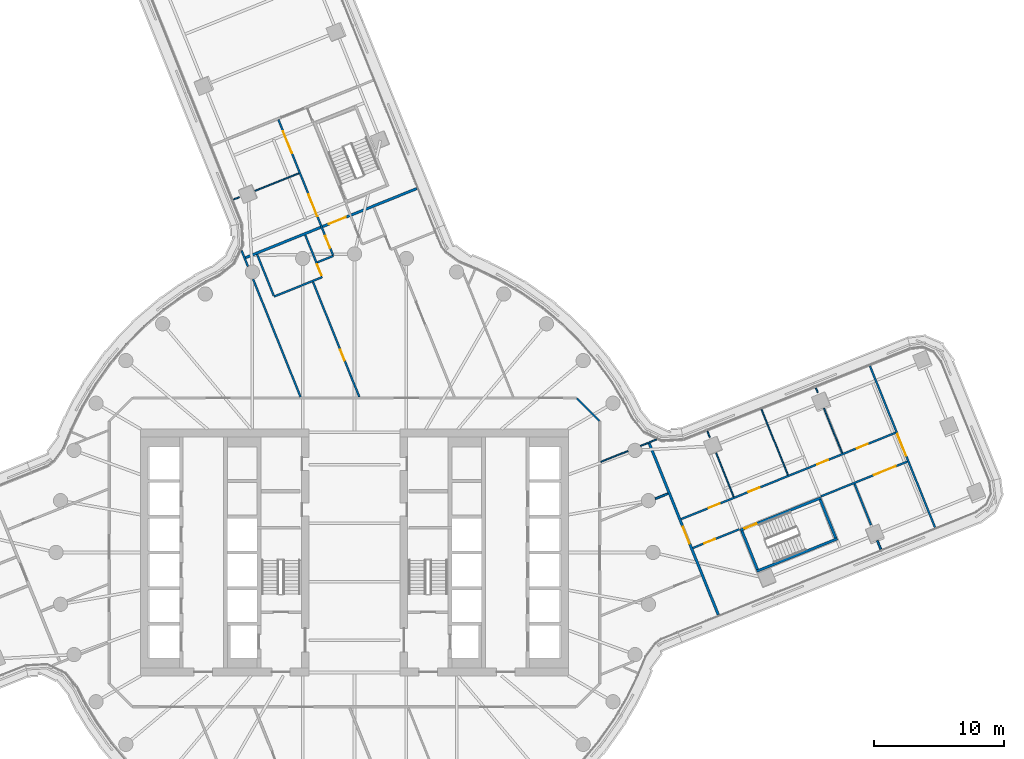
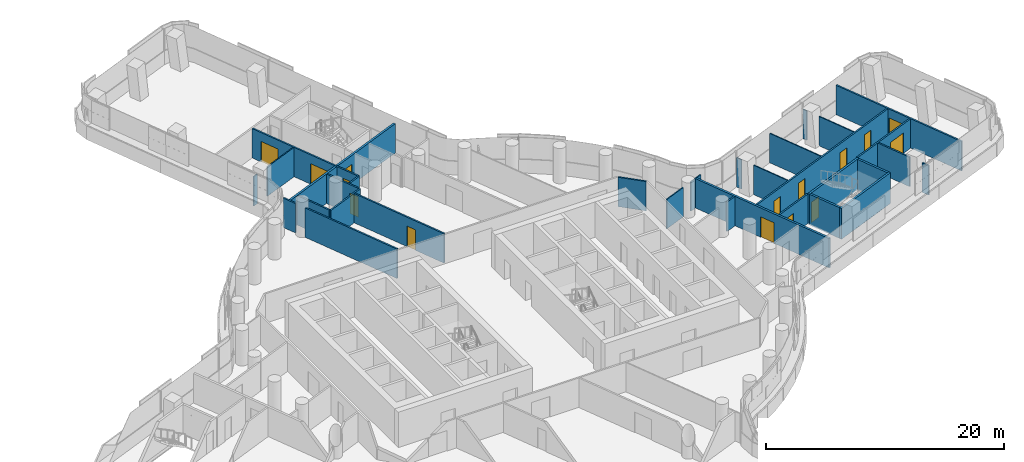
# One storey, part 23 of 32: 31 walls, 15 doors, 15 openings.
"""IFC4 building model written with IfcOpenShell, lengths in metres."""

from ifc_helpers import new_model, si_unit, direction, frame, frame_2d, origin, place, context, subcontext, project, spatial, polyline, rectangle, outline, extrude, material, layer, layer_set, type_object, element, fill, save


model = new_model("IFC4")

# Units and contexts
model_context = context("Model", 3, precision=1e-05, world=origin(), true_north=direction((0.0, 1.0)))
body_context = subcontext(model_context, "Body", "Model", "MODEL_VIEW")
ifc_project = project(units=[si_unit("LENGTHUNIT", "METRE"), si_unit("AREAUNIT", "SQUARE_METRE"), si_unit("VOLUMEUNIT", "CUBIC_METRE"), si_unit("PLANEANGLEUNIT", "RADIAN"), si_unit("MASSUNIT", "GRAM", prefix="KILO")], contexts=[model_context])

# Site, building, storey
site_placement = place(None, origin())
site = spatial("IfcSite", under=ifc_project, at=site_placement, CompositionType="ELEMENT")
building_placement = place(site_placement, origin())
building = spatial("IfcBuilding", under=site, at=building_placement, Name="Tamarind Cross Interchange Tower", CompositionType="ELEMENT")
storey_placement = place(building_placement, frame((0.0, 0.0, 113.5)))
storey = spatial("IfcBuildingStorey", under=building, at=storey_placement, Name="L27", CompositionType="ELEMENT", Elevation=113.5)

# Walls
ifc_material_1 = material(Name="Gypsum board partition on steel studs", Category="steel")
ifc_layer_1 = layer(ifc_material_1, 0.10009765625)
ifc_layer_set_1 = layer_set([ifc_layer_1], Name="Gypsum board partition on steel studs")
wall_type_1 = type_object("IfcWallType", Name="Partition 100 mm EI 90", PredefinedType="PARTITIONING", material=ifc_layer_set_1)
wall_1_placement = place(storey_placement, frame((27.185302734375, 9.3408203125, 0.0), z_axis=(0.0, 0.0, 1.0), x_axis=(0.373968335497, -0.927441472032, 0.0)))
element("IfcWall", 1, at=wall_1_placement, inside=storey, type_object=wall_type_1, Name="Partition L27-029", PredefinedType="PARTITIONING", context=body_context, shape_type="SweptSolid", body=[
    extrude(rectangle(XDim=0.505859375, YDim=0.10009765625, at=frame_2d((0.2529296875, 0.0))), origin(), (0.0, 0.0, 1.0), 3.010009765625),
])
wall_2_placement = place(storey_placement, frame((27.861328125, 7.662109375, 0.0), z_axis=(0.0, 0.0, 1.0), x_axis=(0.373588384553, -0.92759458759, 0.0)))
element("IfcWall", 2, at=wall_2_placement, inside=storey, type_object=wall_type_1, Name="Partition L27-030", PredefinedType="PARTITIONING", context=body_context, shape_type="SweptSolid", body=[
    extrude(rectangle(XDim=3.637451171875, YDim=0.10009765625, at=frame_2d((1.81884765625, 0.0))), origin(), (0.0, 0.0, 1.0), 3.010009765625),
])
wall_3_placement = place(storey_placement, frame((31.3623046875, 11.015380859375, 0.0), z_axis=(0.0, 0.0, 1.0), x_axis=(0.373711144768, -0.927545136517, 0.0)))
element("IfcWall", 3, at=wall_3_placement, inside=storey, type_object=wall_type_1, Name="Partition L27-031", PredefinedType="PARTITIONING", context=body_context, shape_type="SweptSolid", body=[
    extrude(rectangle(XDim=5.439208984375, YDim=0.10009765625, at=frame_2d((2.7197265625, 0.0))), origin(), (0.0, 0.0, 1.0), 3.010009765625),
])
wall_4_placement = place(storey_placement, frame((35.539306640625, 12.690185546875, 0.0), z_axis=(0.0, 0.0, 1.0), x_axis=(0.373446869977, -0.92765156999, 0.0)))
element("IfcWall", 4, at=wall_4_placement, inside=storey, type_object=wall_type_1, Name="Partition L27-032", PredefinedType="PARTITIONING", context=body_context, shape_type="SweptSolid", body=[
    extrude(rectangle(XDim=0.4091796875, YDim=0.10009765625, at=frame_2d((0.20458984375, 0.0))), origin(), (0.0, 0.0, 1.0), 3.010009765625),
])
wall_5_placement = place(storey_placement, frame((36.179443359375, 11.101318359375, 0.0), z_axis=(0.0, 0.0, 1.0), x_axis=(0.373607705791, -0.927586805735, 0.0)))
element("IfcWall", 5, at=wall_5_placement, inside=storey, type_object=wall_type_1, Name="Partition L27-033", PredefinedType="PARTITIONING", context=body_context, shape_type="SweptSolid", body=[
    extrude(rectangle(XDim=3.719482421875, YDim=0.10009765625, at=frame_2d((1.85986328125, 0.0))), origin(), (0.0, 0.0, 1.0), 3.010009765625),
])
wall_6_placement = place(storey_placement, frame((-9.3408203125, 27.185302734375, 0.0), z_axis=(0.0, 0.0, 1.0), x_axis=(0.927441472032, 0.373968335497, 0.0)))
element("IfcWall", 6, at=wall_6_placement, inside=storey, type_object=wall_type_1, Name="Partition L27-054", PredefinedType="PARTITIONING", context=body_context, shape_type="SweptSolid", body=[
    extrude(rectangle(XDim=0.505859375, YDim=0.10009765625, at=frame_2d((0.2529296875, 0.0))), origin(), (0.0, 0.0, 1.0), 3.010009765625),
])
wall_7_placement = place(storey_placement, frame((-7.662109375, 27.861328125, 0.0), z_axis=(0.0, 0.0, 1.0), x_axis=(0.927600383078, 0.373573994428, 0.0)))
element("IfcWall", 7, at=wall_7_placement, inside=storey, type_object=wall_type_1, Name="Partition L27-055", PredefinedType="PARTITIONING", context=body_context, shape_type="SweptSolid", body=[
    extrude(rectangle(XDim=3.64208984375, YDim=0.10009765625, at=frame_2d((1.821044921875, 0.0))), origin(), (0.0, 0.0, 1.0), 3.010009765625),
])
wall_8_placement = place(storey_placement, frame((18.97412109375, 6.974853515625, 0.0), z_axis=(0.0, 0.0, 1.0), x_axis=(0.927638160078, 0.373480178815, 0.0)))
element("IfcWall", 8, at=wall_8_placement, inside=storey, type_object=wall_type_1, Name="Partition L27-073", PredefinedType="PARTITIONING", context=body_context, shape_type="SweptSolid", body=[
    extrude(rectangle(XDim=2.255126953125, YDim=0.10009765625, at=frame_2d((1.12744140625, 0.0))), origin(), (0.0, 0.0, 1.0), 3.010009765625),
])
wall_9_placement = place(storey_placement, frame((22.03662109375, 8.2080078125, 0.0), z_axis=(0.0, 0.0, 1.0), x_axis=(0.927638560967, 0.373479183097, 0.0)))
element("IfcWall", 9, at=wall_9_placement, inside=storey, type_object=wall_type_1, Name="Partition L27-074", PredefinedType="PARTITIONING", context=body_context, shape_type="SweptSolid", body=[
    extrude(rectangle(XDim=1.32958984375, YDim=0.10009765625, at=frame_2d((0.664794921875, 0.0))), origin(), (0.0, 0.0, 1.0), 3.010009765625),
])
ifc_layer_2 = layer(ifc_material_1, 0.14990234375)
ifc_layer_set_2 = layer_set([ifc_layer_2], Name="Gypsum board partition on steel studs")
wall_type_2 = type_object("IfcWallType", Name="Partition 150 mm EI 120", PredefinedType="PARTITIONING", material=ifc_layer_set_2)
wall_10_placement = place(storey_placement, frame((-8.704833984375, 23.26953125, 0.0), z_axis=(0.0, 0.0, 1.0), x_axis=(0.37370081595, -0.927549297967, 0.0)))
element("IfcWall", 10, at=wall_10_placement, inside=storey, type_object=wall_type_2, Name="Partition L27-007", PredefinedType="PARTITIONING", context=body_context, shape_type="SweptSolid", body=[
    extrude(rectangle(XDim=1.32958984375, YDim=0.14990234375, at=frame_2d((0.664794921875, 0.0))), origin(), (0.0, 0.0, 1.0), 3.010009765625),
])
wall_11_placement = place(storey_placement, frame((-7.817138671875, 21.066162109375, 0.0), z_axis=(0.0, 0.0, 1.0), x_axis=(0.373620675782, -0.927581581656, 0.0)))
element("IfcWall", 11, at=wall_11_placement, inside=storey, type_object=wall_type_2, Name="Partition L27-008", PredefinedType="PARTITIONING", context=body_context, shape_type="SweptSolid", body=[
    extrude(rectangle(XDim=9.7919921875, YDim=0.14990234375, at=frame_2d((4.89599609375, 0.0))), origin(), (0.0, 0.0, 1.0), 3.010009765625),
])
wall_12_placement = place(storey_placement, frame((-7.504638671875, 22.96630859375, 0.0), z_axis=(0.0, 0.0, 1.0), x_axis=(0.373515454624, -0.927623956761, 0.0)))
element("IfcWall", 12, at=wall_12_placement, inside=storey, type_object=wall_type_2, Name="Partition L27-011", PredefinedType="PARTITIONING", context=body_context, shape_type="SweptSolid", body=[
    extrude(rectangle(XDim=3.42578125, YDim=0.14990234375, at=frame_2d((1.712890625, 0.0))), origin(), (0.0, 0.0, 1.0), 3.010009765625),
])

# Wall, openings, doors
wall_13_placement = place(storey_placement, frame((-5.867919921875, 33.35546875, 0.0), z_axis=(0.0, 0.0, 1.0), x_axis=(0.373686710096, -0.927554980957, 0.0)))
wall_13 = element("IfcWall", 13, at=wall_13_placement, inside=storey, type_object=wall_type_2, Name="Partition L27-012", PredefinedType="PARTITIONING", context=body_context, shape_type="SweptSolid", body=[
    extrude(rectangle(XDim=11.305908203125, YDim=0.14990234375, at=frame_2d((5.65283203125, 0.0))), origin(), (0.0, 0.0, 1.0), 3.010009765625),
])
opening_1_placement = place(wall_13_placement, frame((9.67578125, 0.0, 0.0)))
opening_1 = element("IfcOpeningElement", 14, at=opening_1_placement, cuts=wall_13, Name="Opening D04", PredefinedType="OPENING", context=body_context, shape_type="SweptSolid", body=[
    extrude(rectangle(XDim=1.0, YDim=2.10009765625, at=frame_2d((0.5, 1.050048828125))), frame((0.0, 0.0849609375, 0.0), z_axis=(0.0, -1.0, 0.0), x_axis=(1.0, 0.0, 0.0)), (0.0, 0.0, 1.0), 0.169921875),
])
opening_2_placement = place(wall_13_placement, frame((0.97509765625, 0.0, 0.0)))
opening_2 = element("IfcOpeningElement", 15, at=opening_2_placement, cuts=wall_13, Name="Opening D05", PredefinedType="OPENING", context=body_context, shape_type="SweptSolid", body=[
    extrude(rectangle(XDim=1.800048828125, YDim=2.10009765625, at=frame_2d((0.89990234375, 1.050048828125))), frame((0.0, 0.0849609375, 0.0), z_axis=(0.0, -1.0, 0.0), x_axis=(1.0, 0.0, 0.0)), (0.0, 0.0, 1.0), 0.169921875),
])
opening_3_placement = place(wall_13_placement, frame((6.22607421875, 0.0, 0.0)))
opening_3 = element("IfcOpeningElement", 16, at=opening_3_placement, cuts=wall_13, Name="Opening D06", PredefinedType="OPENING", context=body_context, shape_type="SweptSolid", body=[
    extrude(rectangle(XDim=1.800048828125, YDim=2.10009765625, at=frame_2d((0.89990234375, 1.050048828125))), frame((0.0, 0.0849609375, 0.0), z_axis=(0.0, -1.0, 0.0), x_axis=(1.0, 0.0, 0.0)), (0.0, 0.0, 1.0), 0.169921875),
])
ifc_material_2 = material(Name="Fire-resisting door set")
door_type_1 = type_object("IfcDoorType", Name="Interior door 1000 x 2100 FD60S", OperationType="SINGLE_SWING_LEFT", PredefinedType="DOOR", material=ifc_material_2)
door_1_placement = place(opening_1_placement, frame((1.0, 0.0, 0.0), z_axis=(0.0, 0.0, 1.0), x_axis=(-1.0, 0.0, 0.0)))
door_1 = element("IfcDoor", 17, at=door_1_placement, inside=storey, type_object=door_type_1, Name="Door D04", OperationType="SINGLE_SWING_RIGHT", OverallHeight=2.10009765625, OverallWidth=1.0, PredefinedType="DOOR", context=body_context, shape_type="SweptSolid", body=[
    extrude(rectangle(XDim=1.0, YDim=2.10009765625, at=frame_2d((0.5, 1.050048828125))), frame((0.0, 0.02490234375, 0.0), z_axis=(0.0, -1.0, 0.0), x_axis=(1.0, 0.0, 0.0)), (0.0, 0.0, 1.0), 0.050048828125),
])
fill(opening_1, door_1)
door_type_2 = type_object("IfcDoorType", Name="Interior door 1800 x 2100 FD60S", OperationType="DOUBLE_DOOR_SINGLE_SWING", PredefinedType="DOOR", material=ifc_material_2)
door_2_placement = place(opening_2_placement, frame((1.800048828125, 0.0, 0.0), z_axis=(0.0, 0.0, 1.0), x_axis=(-1.0, 0.0, 0.0)))
door_2 = element("IfcDoor", 18, at=door_2_placement, inside=storey, type_object=door_type_2, Name="Door D05", OperationType="DOUBLE_DOOR_SINGLE_SWING", OverallHeight=2.10009765625, OverallWidth=1.800048828125, PredefinedType="DOOR", context=body_context, shape_type="SweptSolid", body=[
    extrude(rectangle(XDim=1.800048828125, YDim=2.10009765625, at=frame_2d((0.89990234375, 1.050048828125))), frame((0.0, 0.02490234375, 0.0), z_axis=(0.0, -1.0, 0.0), x_axis=(1.0, 0.0, 0.0)), (0.0, 0.0, 1.0), 0.050048828125),
])
fill(opening_2, door_2)
door_3_placement = place(opening_3_placement, frame((1.800048828125, 0.0, 0.0), z_axis=(0.0, 0.0, 1.0), x_axis=(-1.0, 0.0, 0.0)))
door_3 = element("IfcDoor", 19, at=door_3_placement, inside=storey, type_object=door_type_2, Name="Door D06", OperationType="DOUBLE_DOOR_SINGLE_SWING", OverallHeight=2.10009765625, OverallWidth=1.800048828125, PredefinedType="DOOR", context=body_context, shape_type="SweptSolid", body=[
    extrude(rectangle(XDim=1.800048828125, YDim=2.10009765625, at=frame_2d((0.89990234375, 1.050048828125))), frame((0.0, 0.02490234375, 0.0), z_axis=(0.0, -1.0, 0.0), x_axis=(1.0, 0.0, 0.0)), (0.0, 0.0, 1.0), 0.050048828125),
])
fill(opening_3, door_3)

# Wall, opening, door
wall_14_placement = place(storey_placement, frame((-3.794677734375, 24.460205078125, 0.0), z_axis=(0.0, 0.0, 1.0), x_axis=(0.373945590209, -0.927450643195, 0.0)))
wall_14 = element("IfcWall", 20, at=wall_14_placement, inside=storey, type_object=wall_type_2, Name="Partition L27-013", PredefinedType="PARTITIONING", context=body_context, shape_type="SweptSolid", body=[
    extrude(rectangle(XDim=3.425048828125, YDim=0.14990234375, at=frame_2d((1.71240234375, 0.0))), origin(), (0.0, 0.0, 1.0), 3.010009765625),
])
opening_4_placement = place(wall_14_placement, frame((2.449951171875, 0.0, 0.0)))
opening_4 = element("IfcOpeningElement", 21, at=opening_4_placement, cuts=wall_14, Name="Opening D07", PredefinedType="OPENING", context=body_context, shape_type="SweptSolid", body=[
    extrude(rectangle(XDim=0.89990234375, YDim=2.10009765625, at=frame_2d((0.449951171875, 1.050048828125))), frame((0.0, 0.0849609375, 0.0), z_axis=(0.0, -1.0, 0.0), x_axis=(1.0, 0.0, 0.0)), (0.0, 0.0, 1.0), 0.169921875),
])
door_type_3 = type_object("IfcDoorType", Name="Interior door 900 x 2100 FD60S", OperationType="SINGLE_SWING_LEFT", PredefinedType="DOOR", material=ifc_material_2)
door_4_placement = place(opening_4_placement, frame((0.89990234375, 0.0, 0.0), z_axis=(0.0, 0.0, 1.0), x_axis=(-1.0, 0.0, 0.0)))
door_4 = element("IfcDoor", 22, at=door_4_placement, inside=storey, type_object=door_type_3, Name="Door D07", OperationType="SINGLE_SWING_RIGHT", OverallHeight=2.10009765625, OverallWidth=0.89990234375, PredefinedType="DOOR", context=body_context, shape_type="SweptSolid", body=[
    extrude(rectangle(XDim=0.89990234375, YDim=2.10009765625, at=frame_2d((0.449951171875, 1.050048828125))), frame((0.0, 0.02490234375, 0.0), z_axis=(0.0, -1.0, 0.0), x_axis=(1.0, 0.0, 0.0)), (0.0, 0.0, 1.0), 0.050048828125),
])
fill(opening_4, door_4)

wall_15_placement = place(storey_placement, frame((-3.199951171875, 20.845458984375, 0.0), z_axis=(0.0, 0.0, 1.0), x_axis=(0.373601376601, -0.927589354942, 0.0)))
wall_15 = element("IfcWall", 23, at=wall_15_placement, inside=storey, type_object=wall_type_2, Name="Partition L27-016", PredefinedType="PARTITIONING", context=body_context, shape_type="SweptSolid", body=[
    extrude(rectangle(XDim=9.553955078125, YDim=0.14990234375, at=frame_2d((4.77685546875, 0.0))), origin(), (0.0, 0.0, 1.0), 3.010009765625),
])
opening_5_placement = place(wall_15_placement, frame((5.625, 0.0, 0.0)))
opening_5 = element("IfcOpeningElement", 24, at=opening_5_placement, cuts=wall_15, Name="Opening D10", PredefinedType="OPENING", context=body_context, shape_type="SweptSolid", body=[
    extrude(rectangle(XDim=0.89990234375, YDim=2.10009765625, at=frame_2d((0.449951171875, 1.050048828125))), frame((0.0, 0.0849609375, 0.0), z_axis=(0.0, -1.0, 0.0), x_axis=(1.0, 0.0, 0.0)), (0.0, 0.0, 1.0), 0.169921875),
])
door_5_placement = place(opening_5_placement, frame((0.89990234375, 0.0, 0.0), z_axis=(0.0, 0.0, 1.0), x_axis=(-1.0, 0.0, 0.0)))
door_5 = element("IfcDoor", 25, at=door_5_placement, inside=storey, type_object=door_type_3, Name="Door D10", OperationType="SINGLE_SWING_RIGHT", OverallHeight=2.10009765625, OverallWidth=0.89990234375, PredefinedType="DOOR", context=body_context, shape_type="SweptSolid", body=[
    extrude(rectangle(XDim=0.89990234375, YDim=2.10009765625, at=frame_2d((0.449951171875, 1.050048828125))), frame((0.0, 0.02490234375, 0.0), z_axis=(0.0, -1.0, 0.0), x_axis=(1.0, 0.0, 0.0)), (0.0, 0.0, 1.0), 0.050048828125),
])
fill(opening_5, door_5)

# Walls
wall_16_placement = place(storey_placement, frame((38.523681640625, 5.28173828125, 0.0), z_axis=(0.0, 0.0, 1.0), x_axis=(0.373599718171, -0.927590022899, 0.0)))
element("IfcWall", 26, at=wall_16_placement, inside=storey, type_object=wall_type_2, Name="Partition L27-034", PredefinedType="PARTITIONING", context=body_context, shape_type="SweptSolid", body=[
    extrude(rectangle(XDim=3.4091796875, YDim=0.14990234375, at=frame_2d((1.70458984375, 0.0))), origin(), (0.0, 0.0, 1.0), 3.010009765625),
])
wall_17_placement = place(storey_placement, frame((40.28466796875, 0.909912109375, 0.0), z_axis=(0.0, 0.0, 1.0), x_axis=(0.373639570608, -0.927573970784, 0.0)))
element("IfcWall", 27, at=wall_17_placement, inside=storey, type_object=wall_type_2, Name="Partition L27-035", PredefinedType="PARTITIONING", context=body_context, shape_type="SweptSolid", body=[
    extrude(rectangle(XDim=0.7109375, YDim=0.14990234375, at=frame_2d((0.35546875, 0.0))), origin(), (0.0, 0.0, 1.0), 3.010009765625),
])

# Wall, opening, door
wall_18_placement = place(storey_placement, frame((39.71533203125, 14.3642578125, 0.0), z_axis=(0.0, 0.0, 1.0), x_axis=(0.373838949865, -0.927493633166, 0.0)))
wall_18 = element("IfcWall", 28, at=wall_18_placement, inside=storey, type_object=wall_type_2, Name="Partition L27-036", PredefinedType="PARTITIONING", context=body_context, shape_type="SweptSolid", body=[
    extrude(rectangle(XDim=13.403564453125, YDim=0.14990234375, at=frame_2d((6.70166015625, 0.0))), origin(), (0.0, 0.0, 1.0), 3.010009765625),
])
opening_6_placement = place(wall_18_placement, frame((5.654296875, 0.0, 0.0)))
opening_6 = element("IfcOpeningElement", 29, at=opening_6_placement, cuts=wall_18, Name="Opening D19", PredefinedType="OPENING", context=body_context, shape_type="SweptSolid", body=[
    extrude(rectangle(XDim=1.800048828125, YDim=2.10009765625, at=frame_2d((0.89990234375, 1.050048828125))), frame((0.0, 0.0849609375, 0.0), z_axis=(0.0, -1.0, 0.0), x_axis=(1.0, 0.0, 0.0)), (0.0, 0.0, 1.0), 0.169921875),
])
door_6_placement = place(opening_6_placement, origin())
door_6 = element("IfcDoor", 30, at=door_6_placement, inside=storey, type_object=door_type_2, Name="Door D19", OperationType="DOUBLE_DOOR_SINGLE_SWING", OverallHeight=2.10009765625, OverallWidth=1.800048828125, PredefinedType="DOOR", context=body_context, shape_type="SweptSolid", body=[
    extrude(rectangle(XDim=1.800048828125, YDim=2.10009765625, at=frame_2d((0.89990234375, 1.050048828125))), frame((0.0, 0.02490234375, 0.0), z_axis=(0.0, -1.0, 0.0), x_axis=(1.0, 0.0, 0.0)), (0.0, 0.0, 1.0), 0.050048828125),
])
fill(opening_6, door_6)

# Walls
wall_19_placement = place(storey_placement, frame((17.12841796875, 11.87158203125, 0.0), z_axis=(0.0, 0.0, 1.0), x_axis=(0.707106781187, -0.707106781187, 0.0)))
element("IfcWall", 31, at=wall_19_placement, inside=storey, type_object=wall_type_2, Name="Partition L27-038", PredefinedType="PARTITIONING", context=body_context, shape_type="SweptSolid", body=[
    extrude(rectangle(XDim=2.465087890625, YDim=0.14990234375, at=frame_2d((1.232421875, 0.0))), origin(), (0.0, 0.0, 1.0), 3.010009765625),
])
wall_20_placement = place(storey_placement, frame((-6.197021484375, 19.718994140625, 0.0), z_axis=(0.0, 0.0, 1.0), x_axis=(0.927569092415, 0.373651681109, 0.0)))
element("IfcWall", 32, at=wall_20_placement, inside=storey, type_object=wall_type_2, Name="Partition L27-057", PredefinedType="PARTITIONING", context=body_context, shape_type="SweptSolid", body=[
    extrude(rectangle(XDim=4.000732421875, YDim=0.14990234375, at=frame_2d((2.00048828125, 0.0))), origin(), (0.0, 0.0, 1.0), 3.010009765625),
])
wall_21_placement = place(storey_placement, frame((-2.86083984375, 22.35693359375, 0.0), z_axis=(0.0, 0.0, 1.0), x_axis=(0.927632702766, 0.373493733225, 0.0)))
element("IfcWall", 33, at=wall_21_placement, inside=storey, type_object=wall_type_2, Name="Partition L27-060", PredefinedType="PARTITIONING", context=body_context, shape_type="SweptSolid", body=[
    extrude(rectangle(XDim=1.3203125, YDim=0.14990234375, at=frame_2d((0.66015625, 0.0))), origin(), (0.0, 0.0, 1.0), 3.010009765625),
])
wall_22_placement = place(storey_placement, frame((23.172119140625, 4.13818359375, 0.0), z_axis=(0.0, 0.0, 1.0), x_axis=(0.927557987073, 0.37367924831, 0.0)))
element("IfcWall", 34, at=wall_22_placement, inside=storey, type_object=wall_type_2, Name="Partition L27-072", PredefinedType="PARTITIONING", context=body_context, shape_type="SweptSolid", body=[
    extrude(rectangle(XDim=1.066162109375, YDim=0.14990234375, at=frame_2d((0.533203125, 0.0))), origin(), (0.0, 0.0, 1.0), 3.010009765625),
])

# Wall, openings, doors
wall_23_placement = place(storey_placement, frame((25.17333984375, 2.572265625, 0.0), z_axis=(0.0, 0.0, 1.0), x_axis=(0.927570704599, 0.373647678929, 0.0)))
wall_23 = element("IfcWall", 35, at=wall_23_placement, inside=storey, type_object=wall_type_2, Name="Partition L27-075", PredefinedType="PARTITIONING", context=body_context, shape_type="SweptSolid", body=[
    extrude(rectangle(XDim=17.82080078125, YDim=0.14990234375, at=frame_2d((8.910400390625, 0.0))), origin(), (0.0, 0.0, 1.0), 3.010009765625),
])
opening_7_placement = place(wall_23_placement, frame((2.294921875, 0.0, 0.0)))
opening_7 = element("IfcOpeningElement", 36, at=opening_7_placement, cuts=wall_23, Name="Opening D35", PredefinedType="OPENING", context=body_context, shape_type="SweptSolid", body=[
    extrude(rectangle(XDim=0.89990234375, YDim=2.10009765625, at=frame_2d((0.449951171875, 1.050048828125))), frame((0.0, 0.0849609375, 0.0), z_axis=(0.0, -1.0, 0.0), x_axis=(1.0, 0.0, 0.0)), (0.0, 0.0, 1.0), 0.169921875),
])
opening_8_placement = place(wall_23_placement, frame((5.5947265625, 0.0, 0.0)))
opening_8 = element("IfcOpeningElement", 37, at=opening_8_placement, cuts=wall_23, Name="Opening D36", PredefinedType="OPENING", context=body_context, shape_type="SweptSolid", body=[
    extrude(rectangle(XDim=0.89990234375, YDim=2.10009765625, at=frame_2d((0.449951171875, 1.050048828125))), frame((0.0, 0.0849609375, 0.0), z_axis=(0.0, -1.0, 0.0), x_axis=(1.0, 0.0, 0.0)), (0.0, 0.0, 1.0), 0.169921875),
])
opening_9_placement = place(wall_23_placement, frame((11.2958984375, 0.0, 0.0)))
opening_9 = element("IfcOpeningElement", 38, at=opening_9_placement, cuts=wall_23, Name="Opening D37", PredefinedType="OPENING", context=body_context, shape_type="SweptSolid", body=[
    extrude(rectangle(XDim=0.89990234375, YDim=2.10009765625, at=frame_2d((0.449951171875, 1.050048828125))), frame((0.0, 0.0849609375, 0.0), z_axis=(0.0, -1.0, 0.0), x_axis=(1.0, 0.0, 0.0)), (0.0, 0.0, 1.0), 0.169921875),
])
opening_10_placement = place(wall_23_placement, frame((14.595703125, 0.0, 0.0)))
opening_10 = element("IfcOpeningElement", 39, at=opening_10_placement, cuts=wall_23, Name="Opening D38", PredefinedType="OPENING", context=body_context, shape_type="SweptSolid", body=[
    extrude(rectangle(XDim=0.89990234375, YDim=2.10009765625, at=frame_2d((0.449951171875, 1.050048828125))), frame((0.0, 0.0849609375, 0.0), z_axis=(0.0, -1.0, 0.0), x_axis=(1.0, 0.0, 0.0)), (0.0, 0.0, 1.0), 0.169921875),
])
door_7_placement = place(opening_7_placement, origin())
door_7 = element("IfcDoor", 40, at=door_7_placement, inside=storey, type_object=door_type_3, Name="Door D35", OperationType="SINGLE_SWING_RIGHT", OverallHeight=2.10009765625, OverallWidth=0.89990234375, PredefinedType="DOOR", context=body_context, shape_type="SweptSolid", body=[
    extrude(rectangle(XDim=0.89990234375, YDim=2.10009765625, at=frame_2d((0.449951171875, 1.050048828125))), frame((0.0, 0.02490234375, 0.0), z_axis=(0.0, -1.0, 0.0), x_axis=(1.0, 0.0, 0.0)), (0.0, 0.0, 1.0), 0.050048828125),
])
fill(opening_7, door_7)
door_8_placement = place(opening_8_placement, origin())
door_8 = element("IfcDoor", 41, at=door_8_placement, inside=storey, type_object=door_type_3, Name="Door D36", OperationType="SINGLE_SWING_RIGHT", OverallHeight=2.10009765625, OverallWidth=0.89990234375, PredefinedType="DOOR", context=body_context, shape_type="SweptSolid", body=[
    extrude(rectangle(XDim=0.89990234375, YDim=2.10009765625, at=frame_2d((0.449951171875, 1.050048828125))), frame((0.0, 0.02490234375, 0.0), z_axis=(0.0, -1.0, 0.0), x_axis=(1.0, 0.0, 0.0)), (0.0, 0.0, 1.0), 0.050048828125),
])
fill(opening_8, door_8)
door_9_placement = place(opening_9_placement, origin())
door_9 = element("IfcDoor", 42, at=door_9_placement, inside=storey, type_object=door_type_3, Name="Door D37", OperationType="SINGLE_SWING_LEFT", OverallHeight=2.10009765625, OverallWidth=0.89990234375, PredefinedType="DOOR", context=body_context, shape_type="SweptSolid", body=[
    extrude(rectangle(XDim=0.89990234375, YDim=2.10009765625, at=frame_2d((0.449951171875, 1.050048828125))), frame((0.0, 0.02490234375, 0.0), z_axis=(0.0, -1.0, 0.0), x_axis=(1.0, 0.0, 0.0)), (0.0, 0.0, 1.0), 0.050048828125),
])
fill(opening_9, door_9)
door_10_placement = place(opening_10_placement, origin())
door_10 = element("IfcDoor", 43, at=door_10_placement, inside=storey, type_object=door_type_3, Name="Door D38", OperationType="SINGLE_SWING_LEFT", OverallHeight=2.10009765625, OverallWidth=0.89990234375, PredefinedType="DOOR", context=body_context, shape_type="SweptSolid", body=[
    extrude(rectangle(XDim=0.89990234375, YDim=2.10009765625, at=frame_2d((0.449951171875, 1.050048828125))), frame((0.0, 0.02490234375, 0.0), z_axis=(0.0, -1.0, 0.0), x_axis=(1.0, 0.0, 0.0)), (0.0, 0.0, 1.0), 0.050048828125),
])
fill(opening_10, door_10)

# Wall, opening, door
wall_24_placement = place(storey_placement, frame((26.06591796875, 0.344482421875, 0.0), z_axis=(0.0, 0.0, 1.0), x_axis=(0.927553577064, 0.373690194782, 0.0)))
wall_24 = element("IfcWall", 44, at=wall_24_placement, inside=storey, type_object=wall_type_2, Name="Partition L27-076", PredefinedType="PARTITIONING", context=body_context, shape_type="SweptSolid", body=[
    extrude(rectangle(XDim=3.860595703125, YDim=0.14990234375, at=frame_2d((1.93017578125, 0.0))), origin(), (0.0, 0.0, 1.0), 3.010009765625),
])
opening_11_placement = place(wall_24_placement, frame((0.949951171875, 0.0, 0.0)))
opening_11 = element("IfcOpeningElement", 45, at=opening_11_placement, cuts=wall_24, Name="Opening D39", PredefinedType="OPENING", context=body_context, shape_type="SweptSolid", body=[
    extrude(rectangle(XDim=0.89990234375, YDim=2.10009765625, at=frame_2d((0.449951171875, 1.050048828125))), frame((0.0, 0.0849609375, 0.0), z_axis=(0.0, -1.0, 0.0), x_axis=(1.0, 0.0, 0.0)), (0.0, 0.0, 1.0), 0.169921875),
])
door_11_placement = place(opening_11_placement, frame((0.89990234375, 0.0, 0.0), z_axis=(0.0, 0.0, 1.0), x_axis=(-1.0, 0.0, 0.0)))
door_11 = element("IfcDoor", 46, at=door_11_placement, inside=storey, type_object=door_type_3, Name="Door D39", OperationType="SINGLE_SWING_LEFT", OverallHeight=2.10009765625, OverallWidth=0.89990234375, PredefinedType="DOOR", context=body_context, shape_type="SweptSolid", body=[
    extrude(rectangle(XDim=0.89990234375, YDim=2.10009765625, at=frame_2d((0.449951171875, 1.050048828125))), frame((0.0, 0.02490234375, 0.0), z_axis=(0.0, -1.0, 0.0), x_axis=(1.0, 0.0, 0.0)), (0.0, 0.0, 1.0), 0.050048828125),
])
fill(opening_11, door_11)

wall_25_placement = place(storey_placement, frame((35.934326171875, 4.3203125, 0.0), z_axis=(0.0, 0.0, 1.0), x_axis=(0.927550538477, 0.37369773691, 0.0)))
wall_25 = element("IfcWall", 47, at=wall_25_placement, inside=storey, type_object=wall_type_2, Name="Partition L27-077", PredefinedType="PARTITIONING", context=body_context, shape_type="SweptSolid", body=[
    extrude(rectangle(XDim=7.18505859375, YDim=0.14990234375, at=frame_2d((3.592529296875, 0.0))), origin(), (0.0, 0.0, 1.0), 3.010009765625),
])
opening_12_placement = place(wall_25_placement, frame((4.41015625, 0.0, 0.0)))
opening_12 = element("IfcOpeningElement", 48, at=opening_12_placement, cuts=wall_25, Name="Opening D40", PredefinedType="OPENING", context=body_context, shape_type="SweptSolid", body=[
    extrude(rectangle(XDim=1.800048828125, YDim=2.10009765625, at=frame_2d((0.89990234375, 1.050048828125))), frame((0.0, 0.0849609375, 0.0), z_axis=(0.0, -1.0, 0.0), x_axis=(1.0, 0.0, 0.0)), (0.0, 0.0, 1.0), 0.169921875),
])
door_12_placement = place(opening_12_placement, frame((1.800048828125, 0.0, 0.0), z_axis=(0.0, 0.0, 1.0), x_axis=(-1.0, 0.0, 0.0)))
door_12 = element("IfcDoor", 49, at=door_12_placement, inside=storey, type_object=door_type_2, Name="Door D40", OperationType="DOUBLE_DOOR_SINGLE_SWING", OverallHeight=2.10009765625, OverallWidth=1.800048828125, PredefinedType="DOOR", context=body_context, shape_type="SweptSolid", body=[
    extrude(rectangle(XDim=1.800048828125, YDim=2.10009765625, at=frame_2d((0.89990234375, 1.050048828125))), frame((0.0, 0.02490234375, 0.0), z_axis=(0.0, -1.0, 0.0), x_axis=(1.0, 0.0, 0.0)), (0.0, 0.0, 1.0), 0.050048828125),
])
fill(opening_12, door_12)

ifc_layer_3 = layer(ifc_material_1, 0.199951171875)
ifc_layer_set_3 = layer_set([ifc_layer_3], Name="Gypsum board partition on steel studs")
wall_type_3 = type_object("IfcWallType", Name="Partition 200 mm EI 180", PredefinedType="PARTITIONING", material=ifc_layer_set_3)
wall_26_placement = place(storey_placement, frame((22.70361328125, 8.422607421875, 0.0), z_axis=(0.0, 0.0, 1.0), x_axis=(0.373649542525, -0.927569953896, 0.0)))
wall_26 = element("IfcWall", 50, at=wall_26_placement, inside=storey, type_object=wall_type_3, Name="Partition L27-028", PredefinedType="PARTITIONING", context=body_context, shape_type="SweptSolid", body=[
    extrude(rectangle(XDim=14.24853515625, YDim=0.199951171875, at=frame_2d((7.124267578125, 0.0))), origin(), (0.0, 0.0, 1.0), 3.010009765625),
])
opening_13_placement = place(wall_26_placement, frame((6.949462890625, 0.0, 0.0)))
opening_13 = element("IfcOpeningElement", 51, at=opening_13_placement, cuts=wall_26, Name="Opening D18", PredefinedType="OPENING", context=body_context, shape_type="SweptSolid", body=[
    extrude(rectangle(XDim=1.39990234375, YDim=2.10009765625, at=frame_2d((0.699951171875, 1.050048828125))), frame((0.0, 0.10986328125, 0.0), z_axis=(0.0, -1.0, 0.0), x_axis=(1.0, 0.0, 0.0)), (0.0, 0.0, 1.0), 0.219970703125),
])
door_type_4 = type_object("IfcDoorType", Name="Interior door 1400 x 2100 FD120S", OperationType="DOUBLE_DOOR_SINGLE_SWING", PredefinedType="DOOR", material=ifc_material_2)
door_13_placement = place(opening_13_placement, frame((1.39990234375, 0.0, 0.0), z_axis=(0.0, 0.0, 1.0), x_axis=(-1.0, 0.0, 0.0)))
door_13 = element("IfcDoor", 52, at=door_13_placement, inside=storey, type_object=door_type_4, Name="Door D18", OperationType="DOUBLE_DOOR_SINGLE_SWING", OverallHeight=2.10009765625, OverallWidth=1.39990234375, PredefinedType="DOOR", context=body_context, shape_type="SweptSolid", body=[
    extrude(rectangle(XDim=1.39990234375, YDim=2.10009765625, at=frame_2d((0.699951171875, 1.050048828125))), frame((0.0, 0.02490234375, 0.0), z_axis=(0.0, -1.0, 0.0), x_axis=(1.0, 0.0, 0.0)), (0.0, 0.0, 1.0), 0.050048828125),
])
fill(opening_13, door_13)

wall_27_placement = place(storey_placement, frame((-8.3994140625, 22.713134765625, 0.0), z_axis=(0.0, 0.0, 1.0), x_axis=(0.927366941988, 0.374153116929, 0.0)))
wall_27 = element("IfcWall", 53, at=wall_27_placement, inside=storey, type_object=wall_type_3, Name="Partition L27-056", PredefinedType="PARTITIONING", context=body_context, shape_type="SweptSolid", body=[
    extrude(rectangle(XDim=14.2236328125, YDim=0.199951171875, at=frame_2d((7.11181640625, 0.0))), origin(), (0.0, 0.0, 1.0), 3.010009765625),
])
opening_14_placement = place(wall_27_placement, frame((6.924560546875, 0.0, 0.0)))
opening_14 = element("IfcOpeningElement", 54, at=opening_14_placement, cuts=wall_27, Name="Opening D31", PredefinedType="OPENING", context=body_context, shape_type="SweptSolid", body=[
    extrude(rectangle(XDim=1.39990234375, YDim=2.10009765625, at=frame_2d((0.699951171875, 1.050048828125))), frame((0.0, 0.10986328125, 0.0), z_axis=(0.0, -1.0, 0.0), x_axis=(1.0, 0.0, 0.0)), (0.0, 0.0, 1.0), 0.219970703125),
])
door_14_placement = place(opening_14_placement, frame((1.39990234375, 0.0, 0.0), z_axis=(0.0, 0.0, 1.0), x_axis=(-1.0, 0.0, 0.0)))
door_14 = element("IfcDoor", 55, at=door_14_placement, inside=storey, type_object=door_type_4, Name="Door D31", OperationType="DOUBLE_DOOR_SINGLE_SWING", OverallHeight=2.10009765625, OverallWidth=1.39990234375, PredefinedType="DOOR", context=body_context, shape_type="SweptSolid", body=[
    extrude(rectangle(XDim=1.39990234375, YDim=2.10009765625, at=frame_2d((0.699951171875, 1.050048828125))), frame((0.0, 0.02490234375, 0.0), z_axis=(0.0, -1.0, 0.0), x_axis=(1.0, 0.0, 0.0)), (0.0, 0.0, 1.0), 0.050048828125),
])
fill(opening_14, door_14)

ifc_material_3 = material(Name="Concrete C40", Category="concrete")
ifc_layer_4 = layer(ifc_material_3, 0.199951171875)
ifc_layer_set_4 = layer_set([ifc_layer_4], Name="Concrete C40")
wall_type_4 = type_object("IfcWallType", Name="Stair shaft wall 200 mm Concrete C40", PredefinedType="SHEAR", material=ifc_layer_set_4)
wall_28_placement = place(storey_placement, frame((29.720703125, 1.70849609375, -0.139892578125), z_axis=(0.0, 0.0, 1.0), x_axis=(0.927561687704, 0.373670062359, 0.0)))
wall_28 = element("IfcWall", 56, at=wall_28_placement, inside=storey, type_object=wall_type_4, Name="Core wall CWL-L27-ST3-H", PredefinedType="SHEAR", context=body_context, shape_type="SweptSolid", body=[
    extrude(rectangle(XDim=6.7001953125, YDim=0.199951171875, at=frame_2d((3.35009765625, 0.0))), origin(), (0.0, 0.0, 1.0), 3.14990234375),
])
opening_15_placement = place(wall_28_placement, frame((0.35009765625, 0.0, 0.0)))
opening_15 = element("IfcOpeningElement", 57, at=opening_15_placement, cuts=wall_28, Name="Opening ST3L27", PredefinedType="OPENING", context=body_context, shape_type="SweptSolid", body=[
    extrude(rectangle(XDim=1.0, YDim=2.10009765625, at=frame_2d((0.5, 1.050048828125))), frame((0.0, 0.10986328125, 0.0), z_axis=(0.0, -1.0, 0.0), x_axis=(1.0, 0.0, 0.0)), (0.0, 0.0, 1.0), 0.219970703125),
])
ifc_material_4 = material(Name="Steel, fire-resisting", Category="steel")
door_type_5 = type_object("IfcDoorType", Name="Core fire door 1000 x 2100 FD90", OperationType="SINGLE_SWING_LEFT", PredefinedType="DOOR", material=ifc_material_4)
door_15_placement = place(opening_15_placement, origin())
door_15 = element("IfcDoor", 58, at=door_15_placement, inside=storey, type_object=door_type_5, Name="L27 stair door ST3", OperationType="SINGLE_SWING_LEFT", OverallHeight=2.10009765625, OverallWidth=1.0, PredefinedType="DOOR", context=body_context, shape_type="SweptSolid", body=[
    extrude(rectangle(XDim=1.0, YDim=2.10009765625, at=frame_2d((0.5, 1.050048828125))), frame((0.0, 0.02490234375, 0.0), z_axis=(0.0, -1.0, 0.0), x_axis=(1.0, 0.0, 0.0)), (0.0, 0.0, 1.0), 0.050048828125),
])
fill(opening_15, door_15)

# Walls
wall_29_placement = place(storey_placement, frame((30.9912109375, -1.445068359375, -0.139892578125), z_axis=(0.0, 0.0, 1.0), x_axis=(0.927569229512, 0.373651340775, 0.0)))
element("IfcWall", 59, at=wall_29_placement, inside=storey, type_object=wall_type_4, Name="Core wall CWL-L27-ST3-C", PredefinedType="SHEAR", context=body_context, shape_type="SweptSolid", body=[
    extrude(rectangle(XDim=6.699951171875, YDim=0.199951171875, at=frame_2d((3.35009765625, 0.0))), origin(), (0.0, 0.0, 1.0), 3.14990234375),
])
wall_30_placement = place(storey_placement, frame((31.046630859375, -1.31494140625, -0.139892578125), z_axis=(0.0, 0.0, 1.0), x_axis=(-0.373678308528, 0.927558365676, 0.0)))
element("IfcWall", 60, at=wall_30_placement, inside=storey, type_object=wall_type_4, Name="Core wall CWL-L27-ST3-CE", PredefinedType="SHEAR", context=body_context, shape_type="SweptSolid", body=[
    extrude(rectangle(XDim=3.2001953125, YDim=0.199951171875, at=frame_2d((1.60009765625, 0.0))), origin(), (0.0, 0.0, 1.0), 3.14990234375),
])
wall_31_placement = place(storey_placement, frame((0.0, 0.0, -0.139892578125)))
element("IfcWall", 61, at=wall_31_placement, inside=storey, type_object=wall_type_4, Name="Core wall CWL-L27-ST3-CF", PredefinedType="SHEAR", context=body_context, shape_type="SweptSolid", body=[
    extrude(outline(polyline([(36.98291015625, 1.076416015625), (37.168701171875, 1.151123046875), (35.972900390625, 4.119384765625), (35.787353515625, 4.044677734375), (36.98291015625, 1.076416015625)])), origin(), (0.0, 0.0, 1.0), 3.14990234375),
])

save(model, "model.ifc")
